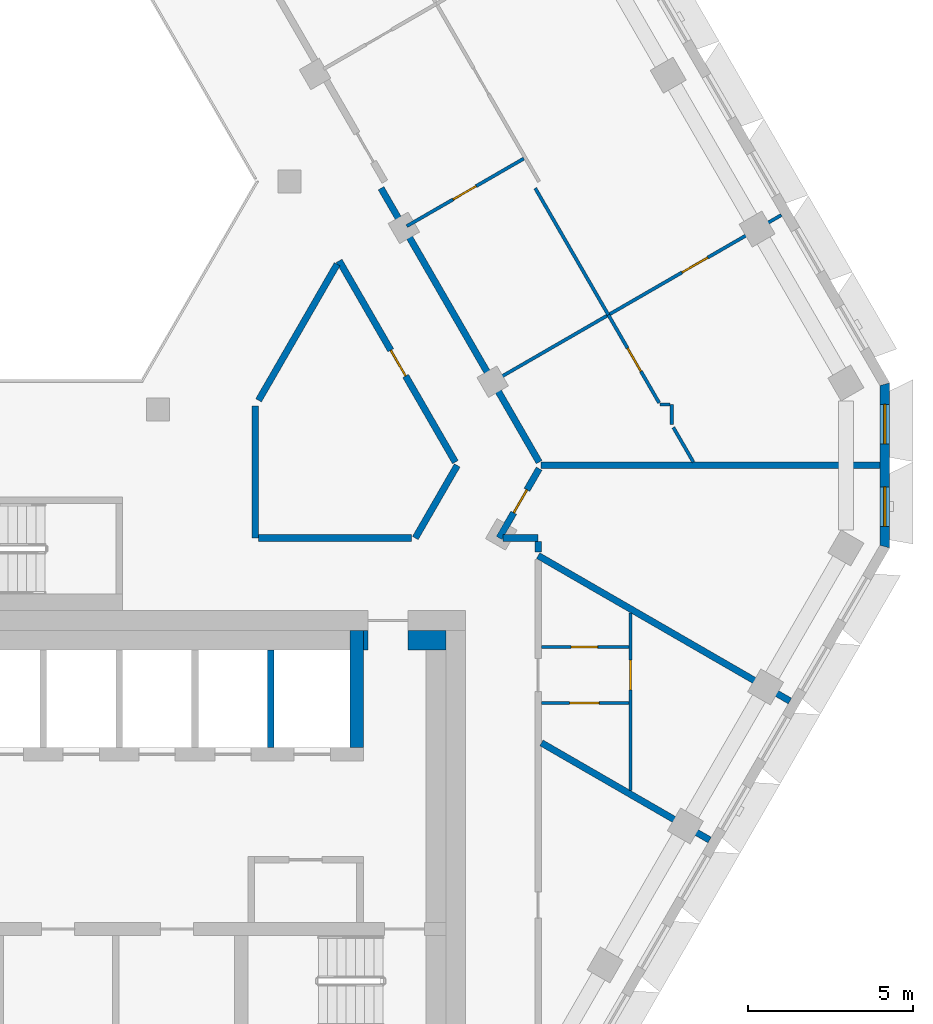
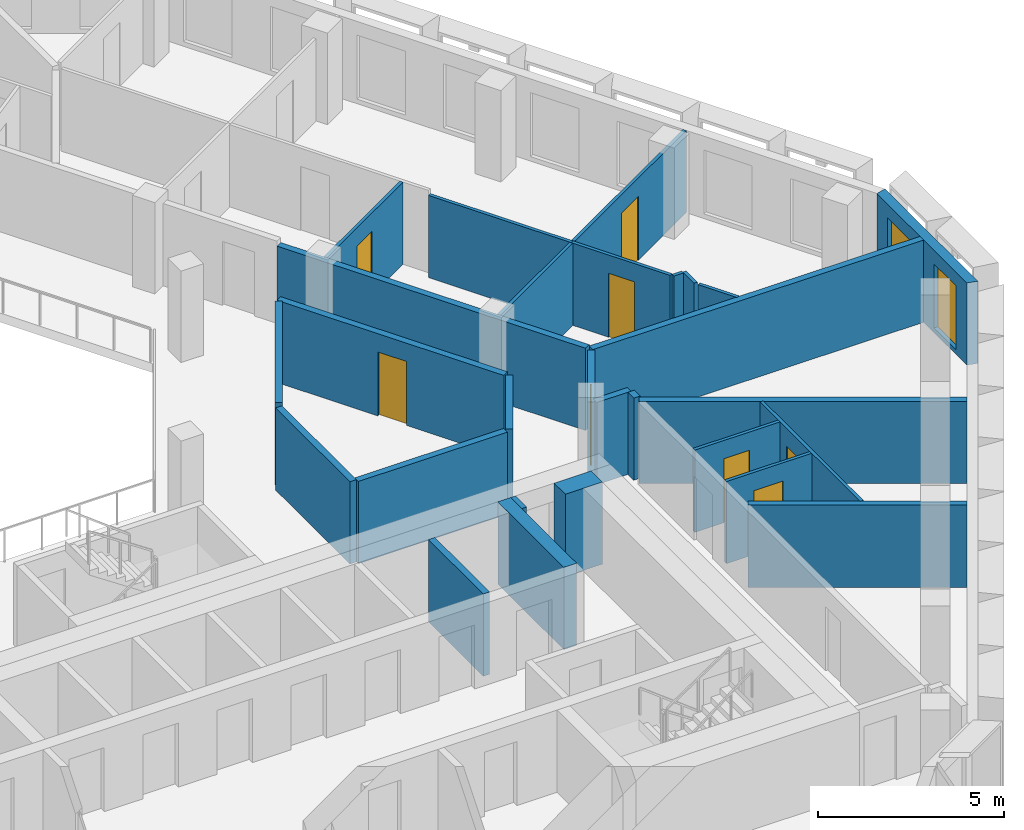
# One storey, part 6 of 17: 27 walls, 8 doors, 2 windows, 10 openings.
"""IFC4 building model written with IfcOpenShell, lengths in metres."""

from ifc_helpers import new_model, si_unit, direction, frame, frame_2d, origin, place, context, subcontext, project, spatial, polyline, rectangle, outline, extrude, material, layer, layer_set, type_object, element, fill, save


model = new_model("IFC4")

# Units and contexts
model_context = context("Model", 3, precision=1e-05, world=origin(), true_north=direction((0.0, 1.0)))
body_context = subcontext(model_context, "Body", "Model", "MODEL_VIEW")
ifc_project = project(units=[si_unit("LENGTHUNIT", "METRE"), si_unit("AREAUNIT", "SQUARE_METRE"), si_unit("VOLUMEUNIT", "CUBIC_METRE"), si_unit("PLANEANGLEUNIT", "RADIAN"), si_unit("MASSUNIT", "GRAM", prefix="KILO")], contexts=[model_context])

# Site, building, storey
site_placement = place(None, origin())
site = spatial("IfcSite", under=ifc_project, at=site_placement, CompositionType="ELEMENT")
building_placement = place(site_placement, origin())
building = spatial("IfcBuilding", under=site, at=building_placement, Name="Beryl Residences", CompositionType="ELEMENT")
storey_placement = place(building_placement, frame((0.0, 0.0, 166.199951171875)))
storey = spatial("IfcBuildingStorey", under=building, at=storey_placement, Name="L50", CompositionType="ELEMENT", Elevation=166.199951171875)

# Wall, openings, windows
ifc_material_1 = material(Name="Composite metal panel with mineral wool insulation")
ifc_layer_1 = layer(ifc_material_1, 0.300048828125)
ifc_layer_set_1 = layer_set([ifc_layer_1], Name="ES1 pale metal composite panel wall 300 mm")
wall_type_1 = type_object("IfcWallType", Name="ES1 pale metal composite panel wall 300 mm", PredefinedType="SOLIDWALL", material=ifc_layer_set_1)
wall_1_placement = place(storey_placement, frame((26.00390625, -3.10009765625, 0.0), z_axis=(0.0, 0.0, 1.0), x_axis=(0.0, 1.0, 0.0)))
wall_1 = element("IfcWall", 1, at=wall_1_placement, inside=storey, type_object=wall_type_1, Name="ES1 external wall L50 SE-NE", PredefinedType="SOLIDWALL", context=body_context, shape_type="SweptSolid", body=[
    extrude(outline(polyline([(0.0, -0.14990234375), (5.0, -0.14990234375), (4.919677734375, 0.14990234375), (0.080322265625, 0.14990234375), (0.0, -0.14990234375)])), origin(), (0.0, 0.0, 1.0), 2.699951171875),
])
opening_1_placement = place(wall_1_placement, frame((0.64990234375, 0.0, 0.14990234375)))
opening_1 = element("IfcOpeningElement", 2, at=opening_1_placement, cuts=wall_1, Name="Opening W2", PredefinedType="OPENING", context=body_context, shape_type="SweptSolid", body=[
    extrude(rectangle(XDim=1.199951171875, YDim=2.10009765625, at=frame_2d((0.60009765625, 1.050048828125))), frame((0.0, 0.159912109375, 0.0), z_axis=(0.0, -1.0, 0.0), x_axis=(1.0, 0.0, 0.0)), (0.0, 0.0, 1.0), 0.320068359375),
])
opening_2_placement = place(wall_1_placement, frame((3.14990234375, 0.0, 0.14990234375)))
opening_2 = element("IfcOpeningElement", 3, at=opening_2_placement, cuts=wall_1, Name="Opening W2", PredefinedType="OPENING", context=body_context, shape_type="SweptSolid", body=[
    extrude(rectangle(XDim=1.199951171875, YDim=2.10009765625, at=frame_2d((0.60009765625, 1.050048828125))), frame((0.0, 0.159912109375, 0.0), z_axis=(0.0, -1.0, 0.0), x_axis=(1.0, 0.0, 0.0)), (0.0, 0.0, 1.0), 0.320068359375),
])
ifc_material_2 = material(Name="Aluminium and clear glass", Category="aluminium")
window_type = type_object("IfcWindowType", Name="W2 chamfer window 1200 x 2100 mm", PartitioningType="SINGLE_PANEL", PredefinedType="WINDOW", material=ifc_material_2)
window_1_placement = place(opening_1_placement, origin())
window_1 = element("IfcWindow", 4, at=window_1_placement, inside=storey, type_object=window_type, Name="W2 window L50 SE-NE 1", OverallHeight=2.10009765625, OverallWidth=1.199951171875, PartitioningType="SINGLE_PANEL", PredefinedType="WINDOW", context=body_context, shape_type="SweptSolid", body=[
    extrude(rectangle(XDim=1.199951171875, YDim=2.10009765625, at=frame_2d((0.60009765625, 1.050048828125))), frame((0.0, 0.030029296875, 0.0), z_axis=(0.0, -1.0, 0.0), x_axis=(1.0, 0.0, 0.0)), (0.0, 0.0, 1.0), 0.06005859375),
])
fill(opening_1, window_1)
window_2_placement = place(opening_2_placement, origin())
window_2 = element("IfcWindow", 5, at=window_2_placement, inside=storey, type_object=window_type, Name="W2 window L50 SE-NE 2", OverallHeight=2.10009765625, OverallWidth=1.199951171875, PartitioningType="SINGLE_PANEL", PredefinedType="WINDOW", context=body_context, shape_type="SweptSolid", body=[
    extrude(rectangle(XDim=1.199951171875, YDim=2.10009765625, at=frame_2d((0.60009765625, 1.050048828125))), frame((0.0, 0.030029296875, 0.0), z_axis=(0.0, -1.0, 0.0), x_axis=(1.0, 0.0, 0.0)), (0.0, 0.0, 1.0), 0.06005859375),
])
fill(opening_2, window_2)

# Walls
ifc_material_3 = material(Name="Gypsum board partition on steel studs", Category="steel")
ifc_layer_2 = layer(ifc_material_3, 0.10009765625)
ifc_layer_set_2 = layer_set([ifc_layer_2], Name="PT1 partition 100 mm gypsum board on steel studs")
wall_type_2 = type_object("IfcWallType", Name="PT1 partition 100 mm gypsum board on steel studs", PredefinedType="PARTITIONING", material=ifc_layer_set_2)
wall_2_placement = place(storey_placement, frame((15.412109375, 7.800048828125, 0.0), z_axis=(0.0, 0.0, 1.0), x_axis=(0.499882970317, -0.866092960361, 0.0)))
element("IfcWall", 6, at=wall_2_placement, inside=storey, type_object=wall_type_2, Name="Wall PT1 L50 002", PredefinedType="PARTITIONING", context=body_context, shape_type="SweptSolid", body=[
    extrude(rectangle(XDim=4.4326171875, YDim=0.10009765625, at=frame_2d((2.21630859375, 0.0))), origin(), (0.0, 0.0, 1.0), 2.699951171875),
])
wall_3_placement = place(storey_placement, frame((19.596923828125, 0.551025390625, 0.0), z_axis=(0.0, 0.0, 1.0), x_axis=(0.500576018574, -0.86569258379, 0.0)))
element("IfcWall", 7, at=wall_3_placement, inside=storey, type_object=wall_type_2, Name="Wall PT1 L50 003", PredefinedType="PARTITIONING", context=body_context, shape_type="SweptSolid", body=[
    extrude(rectangle(XDim=1.212890625, YDim=0.10009765625, at=frame_2d((0.6064453125, 0.0))), origin(), (0.0, 0.0, 1.0), 2.699951171875),
])

# Wall, opening, door
wall_4_placement = place(storey_placement, frame((15.60009765625, -6.10107421875, 0.0), z_axis=(0.0, 0.0, 1.0), x_axis=(1.0, 0.0, 0.0)))
wall_4 = element("IfcWall", 8, at=wall_4_placement, inside=storey, type_object=wall_type_2, Name="Wall PT1 L50 013", PredefinedType="PARTITIONING", context=body_context, shape_type="SweptSolid", body=[
    extrude(rectangle(XDim=2.64990234375, YDim=0.10009765625, at=frame_2d((1.324951171875, 0.0))), origin(), (0.0, 0.0, 1.0), 2.699951171875),
])
opening_3_placement = place(wall_4_placement, frame((0.89990234375, 0.0, 0.0)))
opening_3 = element("IfcOpeningElement", 9, at=opening_3_placement, cuts=wall_4, Name="Opening D1422", PredefinedType="OPENING", context=body_context, shape_type="SweptSolid", body=[
    extrude(rectangle(XDim=0.800048828125, YDim=2.10009765625, at=frame_2d((0.39990234375, 1.050048828125))), frame((0.0, 0.06005859375, 0.0), z_axis=(0.0, -1.0, 0.0), x_axis=(1.0, 0.0, 0.0)), (0.0, 0.0, 1.0), 0.1201171875),
])
ifc_material_4 = material(Name="Timber door leaf", Category="wood")
door_type_1 = type_object("IfcDoorType", Name="D3 bathroom door 800 x 2100 mm", OperationType="SINGLE_SWING_LEFT", PredefinedType="DOOR", material=ifc_material_4)
door_1_placement = place(opening_3_placement, origin())
door_1 = element("IfcDoor", 10, at=door_1_placement, inside=storey, type_object=door_type_1, Name="Door D1422 L50 001", OperationType="SINGLE_SWING_RIGHT", OverallHeight=2.10009765625, OverallWidth=0.800048828125, PredefinedType="DOOR", context=body_context, shape_type="SweptSolid", body=[
    extrude(rectangle(XDim=0.800048828125, YDim=2.10009765625, at=frame_2d((0.39990234375, 1.050048828125))), frame((0.0, 0.02490234375, 0.0), z_axis=(0.0, -1.0, 0.0), x_axis=(1.0, 0.0, 0.0)), (0.0, 0.0, 1.0), 0.050048828125),
])
fill(opening_3, door_1)

wall_5_placement = place(storey_placement, frame((15.60009765625, -7.801025390625, 0.0), z_axis=(0.0, 0.0, 1.0), x_axis=(1.0, 0.0, 0.0)))
wall_5 = element("IfcWall", 11, at=wall_5_placement, inside=storey, type_object=wall_type_2, Name="Wall PT1 L50 014", PredefinedType="PARTITIONING", context=body_context, shape_type="SweptSolid", body=[
    extrude(rectangle(XDim=2.64990234375, YDim=0.10009765625, at=frame_2d((1.324951171875, 0.0))), origin(), (0.0, 0.0, 1.0), 2.699951171875),
])
opening_4_placement = place(wall_5_placement, frame((0.85009765625, 0.0, 0.0)))
opening_4 = element("IfcOpeningElement", 12, at=opening_4_placement, cuts=wall_5, Name="Opening D1423", PredefinedType="OPENING", context=body_context, shape_type="SweptSolid", body=[
    extrude(rectangle(XDim=0.89990234375, YDim=2.10009765625, at=frame_2d((0.449951171875, 1.050048828125))), frame((0.0, 0.06005859375, 0.0), z_axis=(0.0, -1.0, 0.0), x_axis=(1.0, 0.0, 0.0)), (0.0, 0.0, 1.0), 0.1201171875),
])
ifc_material_5 = material(Name="Timber door leaf", Category="wood")
door_type_2 = type_object("IfcDoorType", Name="D2 room door 900 x 2100 mm", OperationType="SINGLE_SWING_LEFT", PredefinedType="DOOR", material=ifc_material_5)
door_2_placement = place(opening_4_placement, origin())
door_2 = element("IfcDoor", 13, at=door_2_placement, inside=storey, type_object=door_type_2, Name="Door D1423 L50 001", OperationType="SINGLE_SWING_LEFT", OverallHeight=2.10009765625, OverallWidth=0.89990234375, PredefinedType="DOOR", context=body_context, shape_type="SweptSolid", body=[
    extrude(rectangle(XDim=0.89990234375, YDim=2.10009765625, at=frame_2d((0.449951171875, 1.050048828125))), frame((0.0, 0.02490234375, 0.0), z_axis=(0.0, -1.0, 0.0), x_axis=(1.0, 0.0, 0.0)), (0.0, 0.0, 1.0), 0.050048828125),
])
fill(opening_4, door_2)

# Wall
wall_6_placement = place(storey_placement, frame((19.195068359375, 1.2470703125, 0.0), z_axis=(0.0, 0.0, 1.0), x_axis=(1.0, 0.0, 0.0)))
element("IfcWall", 14, at=wall_6_placement, inside=storey, type_object=wall_type_2, Name="Wall PT1 L50 015", PredefinedType="PARTITIONING", context=body_context, shape_type="SweptSolid", body=[
    extrude(rectangle(XDim=0.302001953125, YDim=0.10009765625, at=frame_2d((0.15087890625, 0.0))), origin(), (0.0, 0.0, 1.0), 2.699951171875),
])

# Wall, opening, door
wall_7_placement = place(storey_placement, frame((18.300048828125, -10.451904296875, 0.0), z_axis=(0.0, 0.0, 1.0), x_axis=(0.0, 1.0, 0.0)))
wall_7 = element("IfcWall", 15, at=wall_7_placement, inside=storey, type_object=wall_type_2, Name="Wall PT1 L50 025", PredefinedType="PARTITIONING", context=body_context, shape_type="SweptSolid", body=[
    extrude(rectangle(XDim=5.385986328125, YDim=0.10009765625, at=frame_2d((2.69287109375, 0.0))), origin(), (0.0, 0.0, 1.0), 2.699951171875),
])
opening_5_placement = place(wall_7_placement, frame((3.051025390625, 0.0, 0.0)))
opening_5 = element("IfcOpeningElement", 16, at=opening_5_placement, cuts=wall_7, Name="Opening D1424", PredefinedType="OPENING", context=body_context, shape_type="SweptSolid", body=[
    extrude(rectangle(XDim=0.89990234375, YDim=2.10009765625, at=frame_2d((0.449951171875, 1.050048828125))), frame((0.0, 0.06005859375, 0.0), z_axis=(0.0, -1.0, 0.0), x_axis=(1.0, 0.0, 0.0)), (0.0, 0.0, 1.0), 0.1201171875),
])
door_3_placement = place(opening_5_placement, origin())
door_3 = element("IfcDoor", 17, at=door_3_placement, inside=storey, type_object=door_type_2, Name="Door D1424 L50 001", OperationType="SINGLE_SWING_RIGHT", OverallHeight=2.10009765625, OverallWidth=0.89990234375, PredefinedType="DOOR", context=body_context, shape_type="SweptSolid", body=[
    extrude(rectangle(XDim=0.89990234375, YDim=2.10009765625, at=frame_2d((0.449951171875, 1.050048828125))), frame((0.0, 0.02490234375, 0.0), z_axis=(0.0, -1.0, 0.0), x_axis=(1.0, 0.0, 0.0)), (0.0, 0.0, 1.0), 0.050048828125),
])
fill(opening_5, door_3)

# Wall
wall_8_placement = place(storey_placement, frame((19.547119140625, 0.637939453125, 0.0), z_axis=(0.0, 0.0, 1.0), x_axis=(0.0, 1.0, 0.0)))
element("IfcWall", 18, at=wall_8_placement, inside=storey, type_object=wall_type_2, Name="Wall PT1 L50 026", PredefinedType="PARTITIONING", context=body_context, shape_type="SweptSolid", body=[
    extrude(rectangle(XDim=0.609130859375, YDim=0.10009765625, at=frame_2d((0.3046875, 0.0))), origin(), (0.0, 0.0, 1.0), 2.699951171875),
])

# Wall, opening, door
wall_9_placement = place(storey_placement, frame((14.2099609375, 1.987060546875, 0.0), z_axis=(0.0, 0.0, 1.0), x_axis=(0.866022959057, 0.500004234368, 0.0)))
wall_9 = element("IfcWall", 19, at=wall_9_placement, inside=storey, type_object=wall_type_2, Name="Wall PT1 L50 032", PredefinedType="PARTITIONING", context=body_context, shape_type="SweptSolid", body=[
    extrude(rectangle(XDim=10.0, YDim=0.10009765625, at=frame_2d((5.0, 0.0))), origin(), (0.0, 0.0, 1.0), 2.699951171875),
])
opening_6_placement = place(wall_9_placement, frame((6.52294921875, 0.0, 0.0)))
opening_6 = element("IfcOpeningElement", 20, at=opening_6_placement, cuts=wall_9, Name="Opening D1430", PredefinedType="OPENING", context=body_context, shape_type="SweptSolid", body=[
    extrude(rectangle(XDim=0.89990234375, YDim=2.10009765625, at=frame_2d((0.449951171875, 1.050048828125))), frame((0.0, 0.06005859375, 0.0), z_axis=(0.0, -1.0, 0.0), x_axis=(1.0, 0.0, 0.0)), (0.0, 0.0, 1.0), 0.1201171875),
])
door_4_placement = place(opening_6_placement, origin())
door_4 = element("IfcDoor", 21, at=door_4_placement, inside=storey, type_object=door_type_2, Name="Door D1430 L50 001", OperationType="SINGLE_SWING_RIGHT", OverallHeight=2.10009765625, OverallWidth=0.89990234375, PredefinedType="DOOR", context=body_context, shape_type="SweptSolid", body=[
    extrude(rectangle(XDim=0.89990234375, YDim=2.10009765625, at=frame_2d((0.449951171875, 1.050048828125))), frame((0.0, 0.02490234375, 0.0), z_axis=(0.0, -1.0, 0.0), x_axis=(1.0, 0.0, 0.0)), (0.0, 0.0, 1.0), 0.050048828125),
])
fill(opening_6, door_4)

wall_10_placement = place(storey_placement, frame((11.51806640625, 6.64990234375, 0.0), z_axis=(0.0, 0.0, 1.0), x_axis=(0.865949381454, 0.500131651427, 0.0)))
wall_10 = element("IfcWall", 22, at=wall_10_placement, inside=storey, type_object=wall_type_2, Name="Wall PT1 L50 033", PredefinedType="PARTITIONING", context=body_context, shape_type="SweptSolid", body=[
    extrude(rectangle(XDim=4.09716796875, YDim=0.10009765625, at=frame_2d((2.048583984375, 0.0))), origin(), (0.0, 0.0, 1.0), 2.699951171875),
])
opening_7_placement = place(wall_10_placement, frame((1.623046875, 0.0, 0.0)))
opening_7 = element("IfcOpeningElement", 23, at=opening_7_placement, cuts=wall_10, Name="Opening D1428", PredefinedType="OPENING", context=body_context, shape_type="SweptSolid", body=[
    extrude(rectangle(XDim=0.800048828125, YDim=2.10009765625, at=frame_2d((0.39990234375, 1.050048828125))), frame((0.0, 0.06005859375, 0.0), z_axis=(0.0, -1.0, 0.0), x_axis=(1.0, 0.0, 0.0)), (0.0, 0.0, 1.0), 0.1201171875),
])
door_5_placement = place(opening_7_placement, origin())
door_5 = element("IfcDoor", 24, at=door_5_placement, inside=storey, type_object=door_type_1, Name="Door D1428 L50 001", OperationType="SINGLE_SWING_RIGHT", OverallHeight=2.10009765625, OverallWidth=0.800048828125, PredefinedType="DOOR", context=body_context, shape_type="SweptSolid", body=[
    extrude(rectangle(XDim=0.800048828125, YDim=2.10009765625, at=frame_2d((0.39990234375, 1.050048828125))), frame((0.0, 0.02490234375, 0.0), z_axis=(0.0, -1.0, 0.0), x_axis=(1.0, 0.0, 0.0)), (0.0, 0.0, 1.0), 0.050048828125),
])
fill(opening_7, door_5)

wall_11_placement = place(storey_placement, frame((17.6279296875, 3.9609375, 0.0), z_axis=(0.0, 0.0, 1.0), x_axis=(0.50003162148, -0.866007146345, 0.0)))
wall_11 = element("IfcWall", 25, at=wall_11_placement, inside=storey, type_object=wall_type_2, Name="Wall PT1 L50 038", PredefinedType="PARTITIONING", context=body_context, shape_type="SweptSolid", body=[
    extrude(rectangle(XDim=3.075927734375, YDim=0.10009765625, at=frame_2d((1.5380859375, 0.0))), origin(), (0.0, 0.0, 1.0), 2.699951171875),
])
opening_8_placement = place(wall_11_placement, frame((1.1669921875, 0.0, 0.0)))
opening_8 = element("IfcOpeningElement", 26, at=opening_8_placement, cuts=wall_11, Name="Opening D1433", PredefinedType="OPENING", context=body_context, shape_type="SweptSolid", body=[
    extrude(rectangle(XDim=0.800048828125, YDim=2.10009765625, at=frame_2d((0.39990234375, 1.050048828125))), frame((0.0, 0.06005859375, 0.0), z_axis=(0.0, -1.0, 0.0), x_axis=(1.0, 0.0, 0.0)), (0.0, 0.0, 1.0), 0.1201171875),
])
door_6_placement = place(opening_8_placement, origin())
door_6 = element("IfcDoor", 27, at=door_6_placement, inside=storey, type_object=door_type_1, Name="Door D1433 L50 001", OperationType="SINGLE_SWING_LEFT", OverallHeight=2.10009765625, OverallWidth=0.800048828125, PredefinedType="DOOR", context=body_context, shape_type="SweptSolid", body=[
    extrude(rectangle(XDim=0.800048828125, YDim=2.10009765625, at=frame_2d((0.39990234375, 1.050048828125))), frame((0.0, 0.02490234375, 0.0), z_axis=(0.0, -1.0, 0.0), x_axis=(1.0, 0.0, 0.0)), (0.0, 0.0, 1.0), 0.050048828125),
])
fill(opening_8, door_6)

# Walls
ifc_material_6 = material(Name="Concrete masonry", Category="masonry")
ifc_layer_3 = layer(ifc_material_6, 0.14990234375)
ifc_layer_set_3 = layer_set([ifc_layer_3], Name="PT13-150 lobby wall 150 mm")
wall_type_3 = type_object("IfcWallType", Name="PT13-150 lobby wall 150 mm", PredefinedType="PARTITIONING", material=ifc_layer_set_3)
wall_12_placement = place(storey_placement, frame((10.27490234375, -6.199951171875, 0.0), z_axis=(0.0, 0.0, 1.0), x_axis=(0.0, 1.0, 0.0)))
element("IfcWall", 28, at=wall_12_placement, inside=storey, type_object=wall_type_3, Name="Lobby wall 28", PredefinedType="PARTITIONING", context=body_context, shape_type="SweptSolid", body=[
    extrude(rectangle(XDim=0.599853515625, YDim=0.14990234375, at=frame_2d((0.2998046875, 0.0))), origin(), (0.0, 0.0, 1.0), 2.699951171875),
])
ifc_material_7 = material(Name="Concrete masonry", Category="masonry")
ifc_layer_4 = layer(ifc_material_7, 0.60009765625)
ifc_layer_set_4 = layer_set([ifc_layer_4], Name="PT13-600 lobby wall 600 mm")
wall_type_4 = type_object("IfcWallType", Name="PT13-600 lobby wall 600 mm", PredefinedType="PARTITIONING", material=ifc_layer_set_4)
wall_13_placement = place(storey_placement, frame((11.550048828125, -5.89990234375, 0.0), z_axis=(0.0, 0.0, 1.0), x_axis=(1.0, 0.0, 0.0)))
element("IfcWall", 29, at=wall_13_placement, inside=storey, type_object=wall_type_4, Name="Lobby wall 29", PredefinedType="PARTITIONING", context=body_context, shape_type="SweptSolid", body=[
    extrude(rectangle(XDim=1.14990234375, YDim=0.60009765625, at=frame_2d((0.574951171875, 0.0))), origin(), (0.0, 0.0, 1.0), 2.699951171875),
])
ifc_material_8 = material(Name="Acoustic double stud gypsum board wall")
ifc_layer_5 = layer(ifc_material_8, 0.199951171875)
ifc_layer_set_5 = layer_set([ifc_layer_5], Name="PT3 party wall 200 mm acoustic double stud")
wall_type_5 = type_object("IfcWallType", Name="PT3 party wall 200 mm acoustic double stud", PredefinedType="PARTITIONING", material=ifc_layer_set_5)
wall_14_placement = place(storey_placement, frame((15.60009765625, -9.008056640625, 0.0), z_axis=(0.0, 0.0, 1.0), x_axis=(0.866013576751, -0.500020484464, 0.0)))
element("IfcWall", 30, at=wall_14_placement, inside=storey, type_object=wall_type_5, Name="Wall PT3 L50 004", PredefinedType="PARTITIONING", context=body_context, shape_type="SweptSolid", body=[
    extrude(rectangle(XDim=5.885498046875, YDim=0.199951171875, at=frame_2d((2.94287109375, 0.0))), origin(), (0.0, 0.0, 1.0), 2.699951171875),
])
wall_15_placement = place(storey_placement, frame((15.5, -3.333984375, 0.0), z_axis=(0.0, 0.0, 1.0), x_axis=(0.866001896501, -0.5000407136, 0.0)))
element("IfcWall", 31, at=wall_15_placement, inside=storey, type_object=wall_type_5, Name="Wall PT3 L50 005", PredefinedType="PARTITIONING", context=body_context, shape_type="SweptSolid", body=[
    extrude(rectangle(XDim=8.809326171875, YDim=0.199951171875, at=frame_2d((4.40478515625, 0.0))), origin(), (0.0, 0.0, 1.0), 2.699951171875),
])
wall_16_placement = place(storey_placement, frame((15.587890625, -0.59912109375, 0.0), z_axis=(0.0, 0.0, 1.0), x_axis=(1.0, 0.0, 0.0)))
element("IfcWall", 32, at=wall_16_placement, inside=storey, type_object=wall_type_5, Name="Wall PT3 L50 008", PredefinedType="PARTITIONING", context=body_context, shape_type="SweptSolid", body=[
    extrude(rectangle(XDim=10.26611328125, YDim=0.199951171875, at=frame_2d((5.133056640625, 0.0))), origin(), (0.0, 0.0, 1.0), 2.699951171875),
])

# Wall, opening, door
ifc_material_9 = material(Name="Double stud gypsum board wall")
ifc_layer_6 = layer(ifc_material_9, 0.199951171875)
ifc_layer_set_6 = layer_set([ifc_layer_6], Name="PT4 corridor wall 200 mm double stud")
wall_type_6 = type_object("IfcWallType", Name="PT4 corridor wall 200 mm double stud", PredefinedType="PARTITIONING", material=ifc_layer_set_6)
wall_17_placement = place(storey_placement, frame((9.468994140625, 5.60009765625, 0.0), z_axis=(0.0, 0.0, 1.0), x_axis=(0.499964524401, -0.866045884662, 0.0)))
wall_17 = element("IfcWall", 33, at=wall_17_placement, inside=storey, type_object=wall_type_6, Name="Wall PT4 L50 004", PredefinedType="PARTITIONING", context=body_context, shape_type="SweptSolid", body=[
    extrude(rectangle(XDim=7.04248046875, YDim=0.199951171875, at=frame_2d((3.521240234375, 0.0))), origin(), (0.0, 0.0, 1.0), 2.699951171875),
])
opening_9_placement = place(wall_17_placement, frame((3.12890625, 0.0, 0.0)))
opening_9 = element("IfcOpeningElement", 34, at=opening_9_placement, cuts=wall_17, Name="Opening D1439", PredefinedType="OPENING", context=body_context, shape_type="SweptSolid", body=[
    extrude(rectangle(XDim=0.89990234375, YDim=2.10009765625, at=frame_2d((0.449951171875, 1.050048828125))), frame((0.0, 0.10986328125, 0.0), z_axis=(0.0, -1.0, 0.0), x_axis=(1.0, 0.0, 0.0)), (0.0, 0.0, 1.0), 0.219970703125),
])
door_7_placement = place(opening_9_placement, origin())
door_7 = element("IfcDoor", 35, at=door_7_placement, inside=storey, type_object=door_type_2, Name="Door D1439 L50 001", OperationType="SINGLE_SWING_LEFT", OverallHeight=2.10009765625, OverallWidth=0.89990234375, PredefinedType="DOOR", context=body_context, shape_type="SweptSolid", body=[
    extrude(rectangle(XDim=0.89990234375, YDim=2.10009765625, at=frame_2d((0.449951171875, 1.050048828125))), frame((0.0, 0.02490234375, 0.0), z_axis=(0.0, -1.0, 0.0), x_axis=(1.0, 0.0, 0.0)), (0.0, 0.0, 1.0), 0.050048828125),
])
fill(opening_9, door_7)

# Walls
wall_18_placement = place(storey_placement, frame((10.739013671875, 7.800048828125, 0.0), z_axis=(0.0, 0.0, 1.0), x_axis=(0.499964311759, -0.86604600742, 0.0)))
element("IfcWall", 36, at=wall_18_placement, inside=storey, type_object=wall_type_6, Name="Wall PT4 L50 005", PredefinedType="PARTITIONING", context=body_context, shape_type="SweptSolid", body=[
    extrude(rectangle(XDim=9.582763671875, YDim=0.199951171875, at=frame_2d((4.79150390625, 0.0))), origin(), (0.0, 0.0, 1.0), 2.699951171875),
])
wall_19_placement = place(storey_placement, frame((15.5, -2.90087890625, 0.0), z_axis=(0.0, 0.0, 1.0), x_axis=(0.0, -1.0, 0.0)))
element("IfcWall", 37, at=wall_19_placement, inside=storey, type_object=wall_type_6, Name="Wall PT4 L50 007", PredefinedType="PARTITIONING", context=body_context, shape_type="SweptSolid", body=[
    extrude(rectangle(XDim=0.318115234375, YDim=0.199951171875, at=frame_2d((0.1591796875, 0.0))), origin(), (0.0, 0.0, 1.0), 2.699951171875),
])
wall_20_placement = place(storey_placement, frame((7.028076171875, -2.800048828125, 0.0), z_axis=(0.0, 0.0, 1.0), x_axis=(1.0, 0.0, 0.0)))
element("IfcWall", 38, at=wall_20_placement, inside=storey, type_object=wall_type_6, Name="Wall PT4 L50 012", PredefinedType="PARTITIONING", context=body_context, shape_type="SweptSolid", body=[
    extrude(rectangle(XDim=4.634033203125, YDim=0.199951171875, at=frame_2d((2.31689453125, 0.0))), origin(), (0.0, 0.0, 1.0), 2.699951171875),
])
wall_21_placement = place(storey_placement, frame((14.43310546875, -2.800048828125, 0.0), z_axis=(0.0, 0.0, 1.0), x_axis=(1.0, 0.0, 0.0)))
element("IfcWall", 39, at=wall_21_placement, inside=storey, type_object=wall_type_6, Name="Wall PT4 L50 013", PredefinedType="PARTITIONING", context=body_context, shape_type="SweptSolid", body=[
    extrude(rectangle(XDim=1.06591796875, YDim=0.199951171875, at=frame_2d((0.532958984375, 0.0))), origin(), (0.0, 0.0, 1.0), 2.699951171875),
])
wall_22_placement = place(storey_placement, frame((7.028076171875, 1.373046875, 0.0), z_axis=(0.0, 0.0, 1.0), x_axis=(0.499953126767, 0.866052464367, 0.0)))
element("IfcWall", 40, at=wall_22_placement, inside=storey, type_object=wall_type_6, Name="Wall PT4 L50 016", PredefinedType="PARTITIONING", context=body_context, shape_type="SweptSolid", body=[
    extrude(rectangle(XDim=4.76416015625, YDim=0.199951171875, at=frame_2d((2.382080078125, 0.0))), origin(), (0.0, 0.0, 1.0), 2.699951171875),
])
wall_23_placement = place(storey_placement, frame((11.777099609375, -2.800048828125, 0.0), z_axis=(0.0, 0.0, 1.0), x_axis=(0.500085537782, 0.86597601289, 0.0)))
element("IfcWall", 41, at=wall_23_placement, inside=storey, type_object=wall_type_6, Name="Wall PT4 L50 017", PredefinedType="PARTITIONING", context=body_context, shape_type="SweptSolid", body=[
    extrude(rectangle(XDim=2.54150390625, YDim=0.199951171875, at=frame_2d((1.270751953125, 0.0))), origin(), (0.0, 0.0, 1.0), 2.699951171875),
])

# Wall, opening, door
wall_24_placement = place(storey_placement, frame((14.318115234375, -2.800048828125, 0.0), z_axis=(0.0, 0.0, 1.0), x_axis=(0.49964693309, 0.866229151122, 0.0)))
wall_24 = element("IfcWall", 42, at=wall_24_placement, inside=storey, type_object=wall_type_6, Name="Wall PT4 L50 018", PredefinedType="PARTITIONING", context=body_context, shape_type="SweptSolid", body=[
    extrude(rectangle(XDim=2.425537109375, YDim=0.199951171875, at=frame_2d((1.212890625, 0.0))), origin(), (0.0, 0.0, 1.0), 2.699951171875),
])
opening_10_placement = place(wall_24_placement, frame((0.885986328125, 0.0, 0.0)))
opening_10 = element("IfcOpeningElement", 43, at=opening_10_placement, cuts=wall_24, Name="Opening D1425", PredefinedType="OPENING", context=body_context, shape_type="SweptSolid", body=[
    extrude(rectangle(XDim=0.800048828125, YDim=2.10009765625, at=frame_2d((0.39990234375, 1.050048828125))), frame((0.0, 0.10986328125, 0.0), z_axis=(0.0, -1.0, 0.0), x_axis=(1.0, 0.0, 0.0)), (0.0, 0.0, 1.0), 0.219970703125),
])
door_8_placement = place(opening_10_placement, origin())
door_8 = element("IfcDoor", 44, at=door_8_placement, inside=storey, type_object=door_type_1, Name="Door D1425 L50 001", OperationType="SINGLE_SWING_LEFT", OverallHeight=2.10009765625, OverallWidth=0.800048828125, PredefinedType="DOOR", context=body_context, shape_type="SweptSolid", body=[
    extrude(rectangle(XDim=0.800048828125, YDim=2.10009765625, at=frame_2d((0.39990234375, 1.050048828125))), frame((0.0, 0.02490234375, 0.0), z_axis=(0.0, -1.0, 0.0), x_axis=(1.0, 0.0, 0.0)), (0.0, 0.0, 1.0), 0.050048828125),
])
fill(opening_10, door_8)

# Walls
wall_25_placement = place(storey_placement, frame((6.927978515625, -2.800048828125, 0.0), z_axis=(0.0, 0.0, 1.0), x_axis=(0.0, 1.0, 0.0)))
element("IfcWall", 45, at=wall_25_placement, inside=storey, type_object=wall_type_6, Name="Wall PT4 L50 022", PredefinedType="PARTITIONING", context=body_context, shape_type="SweptSolid", body=[
    extrude(rectangle(XDim=4.0, YDim=0.199951171875, at=frame_2d((2.0, 0.0))), origin(), (0.0, 0.0, 1.0), 2.699951171875),
])
ifc_material_10 = material(Name="Concrete C40/50", Category="concrete")
ifc_layer_7 = layer(ifc_material_10, 0.199951171875)
ifc_layer_set_7 = layer_set([ifc_layer_7], Name="PT6 lift shaft wall 200 mm reinforced concrete C40/50")
wall_type_7 = type_object("IfcWallType", Name="PT6 lift shaft wall 200 mm reinforced concrete C40/50", PredefinedType="SOLIDWALL", material=ifc_layer_set_7)
wall_26_placement = place(storey_placement, frame((7.39990234375, -9.14990234375, 0.0), z_axis=(0.0, 0.0, 1.0), x_axis=(0.0, 1.0, 0.0)))
element("IfcWall", 46, at=wall_26_placement, inside=storey, type_object=wall_type_7, Name="Lift shaft wall 26", PredefinedType="SOLIDWALL", context=body_context, shape_type="SweptSolid", body=[
    extrude(rectangle(XDim=2.949951171875, YDim=0.199951171875, at=frame_2d((1.47509765625, 0.0))), origin(), (0.0, 0.0, 1.0), 2.699951171875),
])
ifc_material_11 = material(Name="Concrete C50/60", Category="concrete")
ifc_layer_8 = layer(ifc_material_11, 0.39990234375)
ifc_layer_set_8 = layer_set([ifc_layer_8], Name="SW9 core internal wall 400 mm C50/60")
wall_type_8 = type_object("IfcWallType", Name="SW9 core internal wall 400 mm C50/60", PredefinedType="SHEAR", material=ifc_layer_set_8)
wall_27_placement = place(storey_placement, frame((10.0, -9.14990234375, 0.0), z_axis=(0.0, 0.0, 1.0), x_axis=(0.0, 1.0, 0.0)))
element("IfcWall", 47, at=wall_27_placement, inside=storey, type_object=wall_type_8, Name="Core wall XN2 L50", PredefinedType="SHEAR", context=body_context, shape_type="SweptSolid", body=[
    extrude(rectangle(XDim=3.5498046875, YDim=0.39990234375, at=frame_2d((1.77490234375, 0.0))), origin(), (0.0, 0.0, 1.0), 2.699951171875),
])

save(model, "model.ifc")
